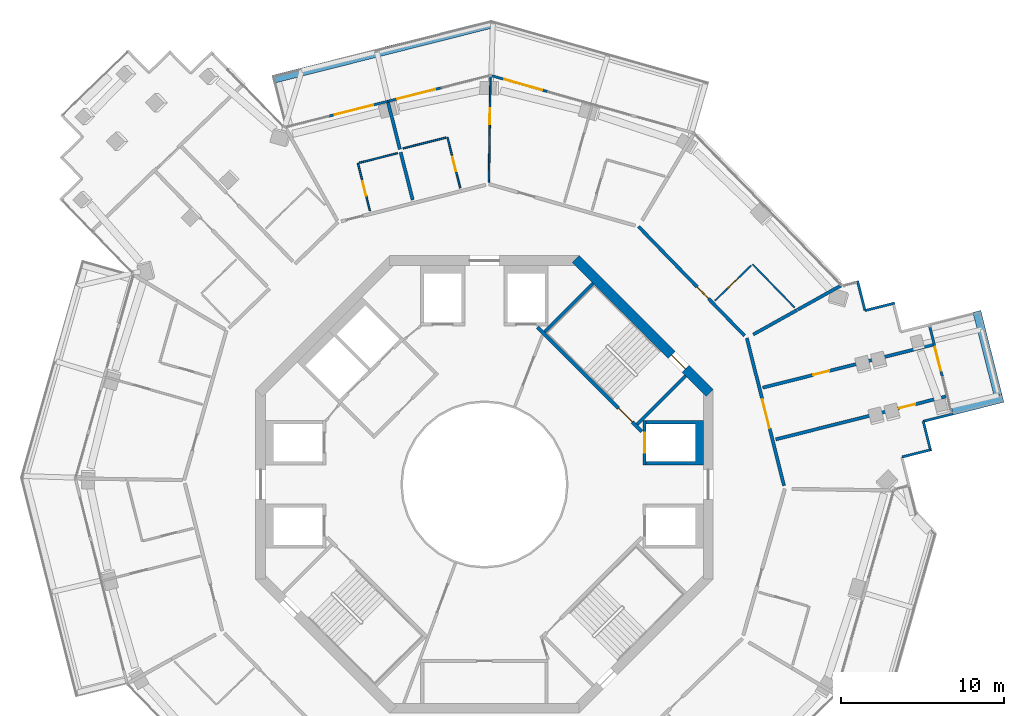
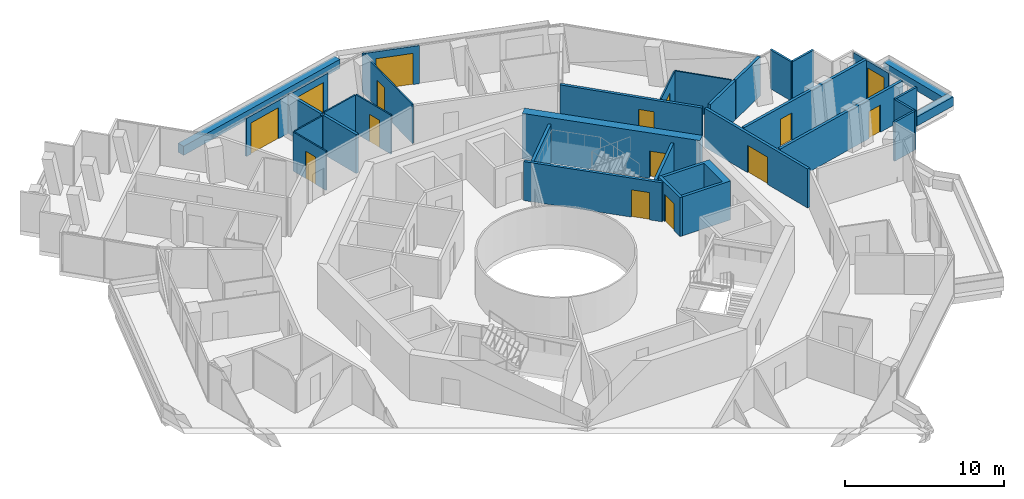
# One storey, part 20 of 24: 33 walls, 15 doors, 15 openings.
"""IFC4 building model written with IfcOpenShell, lengths in metres."""

from ifc_helpers import new_model, si_unit, direction, frame, frame_2d, origin, place, context, subcontext, project, spatial, polyline, rectangle, outline, extrude, material, layer, layer_set, type_object, element, fill, save


model = new_model("IFC4")

# Units and contexts
model_context = context("Model", 3, precision=1e-05, world=origin(), true_north=direction((0.0, 1.0)))
body_context = subcontext(model_context, "Body", "Model", "MODEL_VIEW")
ifc_project = project(units=[si_unit("LENGTHUNIT", "METRE"), si_unit("AREAUNIT", "SQUARE_METRE"), si_unit("VOLUMEUNIT", "CUBIC_METRE"), si_unit("PLANEANGLEUNIT", "RADIAN"), si_unit("MASSUNIT", "GRAM", prefix="KILO")], contexts=[model_context])

# Site, building, storey
site_placement = place(None, origin())
site = spatial("IfcSite", under=ifc_project, at=site_placement, CompositionType="ELEMENT")
building_placement = place(site_placement, origin())
building = spatial("IfcBuilding", under=site, at=building_placement, Name="Verdalira Terraces Hotel", CompositionType="ELEMENT")
storey_placement = place(building_placement, frame((0.0, 0.0, 212.5)))
storey = spatial("IfcBuildingStorey", under=building, at=storey_placement, Name="L52", CompositionType="ELEMENT", Elevation=212.5)

# Walls
ifc_material_1 = material(Name="Concrete C40", Category="concrete")
ifc_layer_1 = layer(ifc_material_1, 0.5)
ifc_layer_set_1 = layer_set([ifc_layer_1], Name="Balcony planter trough with tree")
wall_type_1 = type_object("IfcWallType", Name="Balcony planter trough with tree", PredefinedType="SOLIDWALL", material=ifc_layer_set_1)
wall_1_placement = place(storey_placement, frame((28.630859, 4.490479, 0.0), z_axis=(0.0, 0.0, 1.0), x_axis=(0.969624031, 0.244600159, 0.0)))
element("IfcWall", 1, at=wall_1_placement, inside=storey, type_object=wall_type_1, Name="Balcony planter", PredefinedType="SOLIDWALL", context=body_context, shape_type="SweptSolid", body=[
    extrude(rectangle(XDim=3.198975, YDim=0.5, at=frame_2d((1.599609, 0.0))), origin(), (0.0, 0.0, 1.0), 0.699951),
])
wall_2_placement = place(storey_placement, frame((31.428955, 5.454102, 0.0), z_axis=(0.0, 0.0, 1.0), x_axis=(-0.244594364, 0.969625493, 0.0)))
element("IfcWall", 2, at=wall_2_placement, inside=storey, type_object=wall_type_1, Name="Balcony planter", PredefinedType="SOLIDWALL", context=body_context, shape_type="SweptSolid", body=[
    extrude(rectangle(XDim=5.300049, YDim=0.5, at=frame_2d((2.649902, 0.0))), origin(), (0.0, 0.0, 1.0), 0.699951),
])
wall_3_placement = place(storey_placement, frame((0.3479, 28.148682, 0.0), z_axis=(0.0, 0.0, 1.0), x_axis=(-0.969615948, -0.244632202, 0.0)))
element("IfcWall", 3, at=wall_3_placement, inside=storey, type_object=wall_type_1, Name="Balcony planter", PredefinedType="SOLIDWALL", context=body_context, shape_type="SweptSolid", body=[
    extrude(rectangle(XDim=13.723389, YDim=0.5, at=frame_2d((6.861816, 0.0))), origin(), (0.0, 0.0, 1.0), 0.699951),
])

# Wall, opening, door
ifc_material_2 = material(Name="Moisture-resistant gypsum board partition")
ifc_layer_2 = layer(ifc_material_2, 0.10009765625)
ifc_layer_set_2 = layer_set([ifc_layer_2], Name="Bathroom partition 100 mm")
wall_type_2 = type_object("IfcWallType", Name="Bathroom partition 100 mm", PredefinedType="PARTITIONING", material=ifc_layer_set_2)
wall_4_placement = place(storey_placement, frame((-7.745117, 19.660889, 0.0), z_axis=(0.0, 0.0, 1.0), x_axis=(0.244717984, -0.969594301, 0.0)))
wall_4 = element("IfcWall", 4, at=wall_4_placement, inside=storey, type_object=wall_type_2, Name="Bathroom partition", PredefinedType="PARTITIONING", context=body_context, shape_type="SweptSolid", body=[
    extrude(rectangle(XDim=3.0, YDim=0.100098, at=frame_2d((1.5, 0.0))), origin(), (0.0, 0.0, 1.0), 3.0),
])
opening_1_placement = place(wall_4_placement, frame((1.149902, 0.0, 0.0)))
opening_1 = element("IfcOpeningElement", 5, at=opening_1_placement, cuts=wall_4, Name="Opening L52-134", PredefinedType="OPENING", context=body_context, shape_type="SweptSolid", body=[
    extrude(rectangle(XDim=0.899902, YDim=2.100098, at=frame_2d((0.449951, 1.050049))), frame((0.0, 0.060059, 0.0), z_axis=(0.0, -1.0, 0.0), x_axis=(1.0, 0.0, 0.0)), (0.0, 0.0, 1.0), 0.120117),
])
ifc_material_3 = material(Name="Timber door", Category="wood")
door_type_1 = type_object("IfcDoorType", Name="Bathroom door 900 x 2100", OperationType="NOTDEFINED", PredefinedType="DOOR", material=ifc_material_3)
door_1_placement = place(opening_1_placement, origin())
door_1 = element("IfcDoor", 6, at=door_1_placement, inside=storey, type_object=door_type_1, Name="Bathroom door 5213", OperationType="SINGLE_SWING_LEFT", OverallHeight=2.10009765625, OverallWidth=0.89990234375, PredefinedType="DOOR", context=body_context, shape_type="SweptSolid", body=[
    extrude(rectangle(XDim=0.899902, YDim=2.100098, at=frame_2d((0.449951, 1.050049))), frame((0.0, 0.024902, 0.0), z_axis=(0.0, -1.0, 0.0), x_axis=(1.0, 0.0, 0.0)), (0.0, 0.0, 1.0), 0.050049),
])
fill(opening_1, door_1)

# Walls
wall_5_placement = place(storey_placement, frame((-7.647949, 19.685547, 0.0), z_axis=(0.0, 0.0, 1.0), x_axis=(0.969607564, 0.244665428, 0.0)))
element("IfcWall", 7, at=wall_5_placement, inside=storey, type_object=wall_type_2, Name="Bathroom partition", PredefinedType="PARTITIONING", context=body_context, shape_type="SweptSolid", body=[
    extrude(rectangle(XDim=2.399902, YDim=0.100098, at=frame_2d((1.199951, 0.0))), origin(), (0.0, 0.0, 1.0), 3.0),
])
wall_6_placement = place(storey_placement, frame((-2.364014, 21.224854, 0.0), z_axis=(0.0, 0.0, 1.0), x_axis=(-0.969629761, -0.244577444, 0.0)))
element("IfcWall", 8, at=wall_6_placement, inside=storey, type_object=wall_type_2, Name="Bathroom partition", PredefinedType="PARTITIONING", context=body_context, shape_type="SweptSolid", body=[
    extrude(rectangle(XDim=2.700195, YDim=0.100098, at=frame_2d((1.350098, 0.0))), origin(), (0.0, 0.0, 1.0), 3.0),
])

# Wall, opening, door
wall_7_placement = place(storey_placement, frame((-1.484375, 18.146484, 0.0), z_axis=(0.0, 0.0, 1.0), x_axis=(-0.244581416, 0.969628759, 0.0)))
wall_7 = element("IfcWall", 9, at=wall_7_placement, inside=storey, type_object=wall_type_2, Name="Bathroom partition", PredefinedType="PARTITIONING", context=body_context, shape_type="SweptSolid", body=[
    extrude(rectangle(XDim=3.200195, YDim=0.100098, at=frame_2d((1.600098, 0.0))), origin(), (0.0, 0.0, 1.0), 3.0),
])
opening_2_placement = place(wall_7_placement, frame((1.050049, 0.0, 0.0)))
opening_2 = element("IfcOpeningElement", 10, at=opening_2_placement, cuts=wall_7, Name="Opening L52-132", PredefinedType="OPENING", context=body_context, shape_type="SweptSolid", body=[
    extrude(rectangle(XDim=0.899902, YDim=2.100098, at=frame_2d((0.449951, 1.050049))), frame((0.0, 0.060059, 0.0), z_axis=(0.0, -1.0, 0.0), x_axis=(1.0, 0.0, 0.0)), (0.0, 0.0, 1.0), 0.120117),
])
door_2_placement = place(opening_2_placement, origin())
door_2 = element("IfcDoor", 11, at=door_2_placement, inside=storey, type_object=door_type_1, Name="Bathroom door 5212", OperationType="SINGLE_SWING_RIGHT", OverallHeight=2.10009765625, OverallWidth=0.89990234375, PredefinedType="DOOR", context=body_context, shape_type="SweptSolid", body=[
    extrude(rectangle(XDim=0.899902, YDim=2.100098, at=frame_2d((0.449951, 1.050049))), frame((0.0, 0.024902, 0.0), z_axis=(0.0, -1.0, 0.0), x_axis=(1.0, 0.0, 0.0)), (0.0, 0.0, 1.0), 0.050049),
])
fill(opening_2, door_2)

wall_8_placement = place(storey_placement, frame((0.270996, 18.486328, 0.0), z_axis=(0.0, 0.0, 1.0), x_axis=(0.014665491, 0.999892456, 0.0)))
wall_8 = element("IfcWall", 12, at=wall_8_placement, inside=storey, type_object=wall_type_2, Name="Bathroom partition", PredefinedType="PARTITIONING", context=body_context, shape_type="SweptSolid", body=[
    extrude(rectangle(XDim=6.47583, YDim=0.100098, at=frame_2d((3.237793, 0.0))), origin(), (0.0, 0.0, 1.0), 3.0),
])
opening_3_placement = place(wall_8_placement, frame((3.550049, 0.0, 0.0)))
opening_3 = element("IfcOpeningElement", 13, at=opening_3_placement, cuts=wall_8, Name="Opening L52-130", PredefinedType="OPENING", context=body_context, shape_type="SweptSolid", body=[
    extrude(rectangle(XDim=1.0, YDim=2.100098, at=frame_2d((0.5, 1.050049))), frame((0.0, 0.060059, 0.0), z_axis=(0.0, -1.0, 0.0), x_axis=(1.0, 0.0, 0.0)), (0.0, 0.0, 1.0), 0.120117),
])
ifc_material_4 = material(Name="Timber door", Category="wood")
door_type_2 = type_object("IfcDoorType", Name="Suite internal door 1000 x 2100", OperationType="NOTDEFINED", PredefinedType="DOOR", material=ifc_material_4)
door_3_placement = place(opening_3_placement, origin())
door_3 = element("IfcDoor", 14, at=door_3_placement, inside=storey, type_object=door_type_2, Name="Suite internal door 5212", OperationType="SINGLE_SWING_LEFT", OverallHeight=2.10009765625, OverallWidth=1.0, PredefinedType="DOOR", context=body_context, shape_type="SweptSolid", body=[
    extrude(rectangle(XDim=1.0, YDim=2.100098, at=frame_2d((0.5, 1.050049))), frame((0.0, 0.024902, 0.0), z_axis=(0.0, -1.0, 0.0), x_axis=(1.0, 0.0, 0.0)), (0.0, 0.0, 1.0), 0.050049),
])
fill(opening_3, door_3)

wall_9_placement = place(storey_placement, frame((16.332275, 13.40918, 0.0), z_axis=(0.0, 0.0, 1.0), x_axis=(-0.717425556, -0.696635178, 0.0)))
wall_9 = element("IfcWall", 15, at=wall_9_placement, inside=storey, type_object=wall_type_2, Name="Bathroom partition", PredefinedType="PARTITIONING", context=body_context, shape_type="SweptSolid", body=[
    extrude(rectangle(XDim=3.100098, YDim=0.100098, at=frame_2d((1.550049, 0.0))), origin(), (0.0, 0.0, 1.0), 3.0),
])
opening_4_placement = place(wall_9_placement, frame((1.149902, 0.0, 0.0)))
opening_4 = element("IfcOpeningElement", 16, at=opening_4_placement, cuts=wall_9, Name="Opening L52-127", PredefinedType="OPENING", context=body_context, shape_type="SweptSolid", body=[
    extrude(rectangle(XDim=0.899902, YDim=2.100098, at=frame_2d((0.449951, 1.050049))), frame((0.0, 0.060059, 0.0), z_axis=(0.0, -1.0, 0.0), x_axis=(1.0, 0.0, 0.0)), (0.0, 0.0, 1.0), 0.120117),
])
door_4_placement = place(opening_4_placement, origin())
door_4 = element("IfcDoor", 17, at=door_4_placement, inside=storey, type_object=door_type_1, Name="Bathroom door 5211", OperationType="SINGLE_SWING_LEFT", OverallHeight=2.10009765625, OverallWidth=0.89990234375, PredefinedType="DOOR", context=body_context, shape_type="SweptSolid", body=[
    extrude(rectangle(XDim=0.899902, YDim=2.100098, at=frame_2d((0.449951, 1.050049))), frame((0.0, 0.024902, 0.0), z_axis=(0.0, -1.0, 0.0), x_axis=(1.0, 0.0, 0.0)), (0.0, 0.0, 1.0), 0.050049),
])
fill(opening_4, door_4)

# Walls
wall_10_placement = place(storey_placement, frame((16.403809, 13.47876, 0.0), z_axis=(0.0, 0.0, 1.0), x_axis=(0.696682976, -0.71737914, 0.0)))
element("IfcWall", 18, at=wall_10_placement, inside=storey, type_object=wall_type_2, Name="Bathroom partition", PredefinedType="PARTITIONING", context=body_context, shape_type="SweptSolid", body=[
    extrude(rectangle(XDim=3.704102, YDim=0.100098, at=frame_2d((1.852051, 0.0))), origin(), (0.0, 0.0, 1.0), 3.0),
])
ifc_material_5 = material(Name="Concrete C50", Category="concrete")
ifc_layer_3 = layer(ifc_material_5, 0.199951171875)
ifc_layer_set_3 = layer_set([ifc_layer_3], Name="Core RC wall 200 C50")
wall_type_3 = type_object("IfcWallType", Name="Core RC wall 200 C50", PredefinedType="SOLIDWALL", material=ifc_layer_set_3)
wall_11_placement = place(storey_placement, origin())
element("IfcWall", 19, at=wall_11_placement, inside=storey, type_object=wall_type_3, Name="L52 shaft wall E2", PredefinedType="SOLIDWALL", context=body_context, shape_type="SweptSolid", body=[
    extrude(outline(polyline([(13.399902, 3.899902), (13.399902, 1.199951), (9.899902, 1.199951), (9.899902, 1.399902), (12.899902, 1.399902), (12.899902, 3.699951), (9.899902, 3.699951), (9.899902, 3.899902), (13.399902, 3.899902)])), origin(), (0.0, 0.0, 1.0), 3.0),
])

# Wall, opening, door
wall_12_placement = place(storey_placement, frame((9.800049, 1.199951, 0.0), z_axis=(0.0, 0.0, 1.0), x_axis=(0.0, 1.0, 0.0)))
wall_12 = element("IfcWall", 20, at=wall_12_placement, inside=storey, type_object=wall_type_3, Name="L52 shaft front wall E2", PredefinedType="SOLIDWALL", context=body_context, shape_type="SweptSolid", body=[
    extrude(rectangle(XDim=2.699951, YDim=0.199951, at=frame_2d((1.350098, 0.0))), origin(), (0.0, 0.0, 1.0), 3.0),
])
opening_5_placement = place(wall_12_placement, frame((0.75, 0.0, 0.0)))
opening_5 = element("IfcOpeningElement", 21, at=opening_5_placement, cuts=wall_12, Name="Opening LD-L52-803", PredefinedType="OPENING", context=body_context, shape_type="SweptSolid", body=[
    extrude(rectangle(XDim=1.199951, YDim=2.100098, at=frame_2d((0.600098, 1.050049))), frame((0.0, 0.109863, 0.0), z_axis=(0.0, -1.0, 0.0), x_axis=(1.0, 0.0, 0.0)), (0.0, 0.0, 1.0), 0.219971),
])
ifc_material_6 = material(Name="Stainless steel", Category="steel")
door_type_3 = type_object("IfcDoorType", Name="Landing door 1200 x 2100", OperationType="NOTDEFINED", PredefinedType="DOOR", material=ifc_material_6)
door_5_placement = place(opening_5_placement, origin())
door_5 = element("IfcDoor", 22, at=door_5_placement, inside=storey, type_object=door_type_3, Name="Lift landing door HR2 L52", OperationType="DOUBLE_DOOR_SLIDING", OverallHeight=2.10009765625, OverallWidth=1.199951171875, PredefinedType="DOOR", context=body_context, shape_type="SweptSolid", body=[
    extrude(rectangle(XDim=1.199951, YDim=2.100098, at=frame_2d((0.600098, 1.050049))), frame((0.0, 0.024902, 0.0), z_axis=(0.0, -1.0, 0.0), x_axis=(1.0, 0.0, 0.0)), (0.0, 0.0, 1.0), 0.050049),
])
fill(opening_5, door_5)

wall_13_placement = place(storey_placement, frame((3.23999, 9.629395, 0.0), z_axis=(0.0, 0.0, 1.0), x_axis=(0.707106781, -0.707106781, 0.0)))
wall_13 = element("IfcWall", 23, at=wall_13_placement, inside=storey, type_object=wall_type_3, Name="L52 stair ST1 front wall", PredefinedType="SOLIDWALL", context=body_context, shape_type="SweptSolid", body=[
    extrude(rectangle(XDim=9.035889, YDim=0.199951, at=frame_2d((4.518066, 0.0))), origin(), (0.0, 0.0, 1.0), 3.0),
])
opening_6_placement = place(wall_13_placement, frame((7.017822, 0.0, 0.0)))
opening_6 = element("IfcOpeningElement", 24, at=opening_6_placement, cuts=wall_13, Name="Opening L52-810", PredefinedType="OPENING", context=body_context, shape_type="SweptSolid", body=[
    extrude(rectangle(XDim=1.199951, YDim=2.100098, at=frame_2d((0.600098, 1.050049))), frame((0.0, 0.109863, 0.0), z_axis=(0.0, -1.0, 0.0), x_axis=(1.0, 0.0, 0.0)), (0.0, 0.0, 1.0), 0.219971),
])
ifc_material_7 = material(Name="Steel fire door", Category="steel")
door_type_4 = type_object("IfcDoorType", Name="Stair door 1200 x 2100", OperationType="NOTDEFINED", PredefinedType="DOOR", material=ifc_material_7)
door_6_placement = place(opening_6_placement, origin())
door_6 = element("IfcDoor", 25, at=door_6_placement, inside=storey, type_object=door_type_4, Name="Stair door ST1 L52", OperationType="SINGLE_SWING_RIGHT", OverallHeight=2.10009765625, OverallWidth=1.199951171875, PredefinedType="DOOR", context=body_context, shape_type="SweptSolid", body=[
    extrude(rectangle(XDim=1.199951, YDim=2.100098, at=frame_2d((0.600098, 1.050049))), frame((0.0, 0.024902, 0.0), z_axis=(0.0, -1.0, 0.0), x_axis=(1.0, 0.0, 0.0)), (0.0, 0.0, 1.0), 0.050049),
])
fill(opening_6, door_6)

# Walls
for number, where, z_axis, x_axis, name in (
    (26, (9.33374, 3.677002, 0.0), (0.0, 0.0, 1.0), (0.707135845, 0.707077716, 0.0), "L52 stair ST1 end wall 1"),
    (27, (3.677002, 9.33374, 0.0), (0.0, 0.0, 1.0), (0.707077716, 0.707135845, 0.0), "L52 stair ST1 end wall 2"),
):
    element("IfcWall", number, at=place(storey_placement, frame(where, z_axis=z_axis, x_axis=x_axis)), inside=storey, type_object=wall_type_3, Name=name, PredefinedType="SOLIDWALL", context=body_context, shape_type="SweptSolid", body=[
        extrude(rectangle(XDim=4.199951, YDim=0.199951, at=frame_2d((2.100098, 0.0))), origin(), (0.0, 0.0, 1.0), 3.0),
    ])

# Wall, opening, door
ifc_material_8 = material(Name="Concrete C60", Category="concrete")
ifc_layer_4 = layer(ifc_material_8, 0.60009765625)
ifc_layer_set_4 = layer_set([ifc_layer_4], Name="Core wall 600 C60")
wall_type_4 = type_object("IfcWallType", Name="Core wall 600 C60", PredefinedType="SHEAR", material=ifc_layer_set_4)
wall_14_placement = place(storey_placement, frame((13.787842, 5.586914, 0.0), z_axis=(0.0, 0.0, 1.0), x_axis=(-0.707106781, 0.707106781, 0.0)))
wall_14 = element("IfcWall", 28, at=wall_14_placement, inside=storey, type_object=wall_type_4, Name="Core wall CW-L52-2", PredefinedType="SHEAR", context=body_context, shape_type="SweptSolid", body=[
    extrude(rectangle(XDim=11.5979, YDim=0.600098, at=frame_2d((5.798828, 0.0))), origin(), (0.0, 0.0, 1.0), 3.5),
])
opening_7_placement = place(wall_14_placement, frame((2.099121, 0.0, 0.0)))
opening_7 = element("IfcOpeningElement", 29, at=opening_7_placement, cuts=wall_14, Name="Opening L52-816", PredefinedType="OPENING", context=body_context, shape_type="SweptSolid", body=[
    extrude(rectangle(XDim=1.199951, YDim=2.100098, at=frame_2d((0.600098, 1.050049))), frame((0.0, 0.310059, 0.0), z_axis=(0.0, -1.0, 0.0), x_axis=(1.0, 0.0, 0.0)), (0.0, 0.0, 1.0), 0.620117),
])
door_7_placement = place(opening_7_placement, origin())
door_7 = element("IfcDoor", 30, at=door_7_placement, inside=storey, type_object=door_type_4, Name="Stair exit door ST1 L52", OperationType="SINGLE_SWING_LEFT", OverallHeight=2.10009765625, OverallWidth=1.199951171875, PredefinedType="DOOR", context=body_context, shape_type="SweptSolid", body=[
    extrude(rectangle(XDim=1.199951, YDim=2.100098, at=frame_2d((0.600098, 1.050049))), frame((0.0, 0.024902, 0.0), z_axis=(0.0, -1.0, 0.0), x_axis=(1.0, 0.0, 0.0)), (0.0, 0.0, 1.0), 0.050049),
])
fill(opening_7, door_7)

# Walls
ifc_material_9 = material(Name="Fire-rated gypsum board wall")
ifc_layer_5 = layer(ifc_material_9, 0.199951171875)
ifc_layer_set_5 = layer_set([ifc_layer_5], Name="Demising wall 200 mm")
wall_type_5 = type_object("IfcWallType", Name="Demising wall 200 mm", PredefinedType="SOLIDWALL", material=ifc_layer_set_5)
wall_15_placement = place(storey_placement, frame((-5.176025, 20.515381, 0.0), z_axis=(0.0, 0.0, 1.0), x_axis=(-0.244638129, 0.969614452, 0.0)))
element("IfcWall", 31, at=wall_15_placement, inside=storey, type_object=wall_type_5, Name="Demising wall", PredefinedType="SOLIDWALL", context=body_context, shape_type="SweptSolid", body=[
    extrude(rectangle(XDim=2.949951, YDim=0.199951, at=frame_2d((1.475098, 0.0))), origin(), (0.0, 0.0, 1.0), 3.0),
])
wall_16_placement = place(storey_placement, frame((-4.393311, 17.412598, 0.0), z_axis=(0.0, 0.0, 1.0), x_axis=(-0.244544311, 0.969638118, 0.0)))
element("IfcWall", 32, at=wall_16_placement, inside=storey, type_object=wall_type_5, Name="Demising wall", PredefinedType="SOLIDWALL", context=body_context, shape_type="SweptSolid", body=[
    extrude(rectangle(XDim=3.001953, YDim=0.199951, at=frame_2d((1.500977, 0.0))), origin(), (0.0, 0.0, 1.0), 3.0),
])
wall_17_placement = place(storey_placement, frame((16.445312, 9.175781, 0.0), z_axis=(0.0, 0.0, 1.0), x_axis=(0.873245633, 0.487280274, 0.0)))
element("IfcWall", 33, at=wall_17_placement, inside=storey, type_object=wall_type_5, Name="Demising wall", PredefinedType="SOLIDWALL", context=body_context, shape_type="SweptSolid", body=[
    extrude(rectangle(XDim=3.074707, YDim=0.199951, at=frame_2d((1.537354, 0.0))), origin(), (0.0, 0.0, 1.0), 3.0),
])
wall_18_placement = place(storey_placement, frame((19.17041, 10.696289, 0.0), z_axis=(0.0, 0.0, 1.0), x_axis=(0.873241825, 0.487287097, 0.0)))
element("IfcWall", 34, at=wall_18_placement, inside=storey, type_object=wall_type_5, Name="Demising wall", PredefinedType="SOLIDWALL", context=body_context, shape_type="SweptSolid", body=[
    extrude(rectangle(XDim=3.011719, YDim=0.199951, at=frame_2d((1.505859, 0.0))), origin(), (0.0, 0.0, 1.0), 3.0),
])

# Wall, opening, door
wall_19_placement = place(storey_placement, frame((17.026611, 5.922852, 0.0), z_axis=(0.0, 0.0, 1.0), x_axis=(0.969615219, 0.244635089, 0.0)))
wall_19 = element("IfcWall", 35, at=wall_19_placement, inside=storey, type_object=wall_type_5, Name="Demising wall", PredefinedType="SOLIDWALL", context=body_context, shape_type="SweptSolid", body=[
    extrude(rectangle(XDim=10.750244, YDim=0.199951, at=frame_2d((5.375, 0.0))), origin(), (0.0, 0.0, 1.0), 3.0),
])
opening_8_placement = place(wall_19_placement, frame((3.199951, 0.0, 0.0)))
opening_8 = element("IfcOpeningElement", 36, at=opening_8_placement, cuts=wall_19, Name="Opening L52-125", PredefinedType="OPENING", context=body_context, shape_type="SweptSolid", body=[
    extrude(rectangle(XDim=1.0, YDim=2.100098, at=frame_2d((0.5, 1.050049))), frame((0.0, 0.109863, 0.0), z_axis=(0.0, -1.0, 0.0), x_axis=(1.0, 0.0, 0.0)), (0.0, 0.0, 1.0), 0.219971),
])
ifc_material_10 = material(Name="Timber fire door", Category="wood")
door_type_5 = type_object("IfcDoorType", Name="Public room door 1000 x 2100", OperationType="NOTDEFINED", PredefinedType="DOOR", material=ifc_material_10)
door_8_placement = place(opening_8_placement, origin())
door_8 = element("IfcDoor", 37, at=door_8_placement, inside=storey, type_object=door_type_5, Name="Public room door 5210", OperationType="SINGLE_SWING_LEFT", OverallHeight=2.10009765625, OverallWidth=1.0, PredefinedType="DOOR", context=body_context, shape_type="SweptSolid", body=[
    extrude(rectangle(XDim=1.0, YDim=2.100098, at=frame_2d((0.5, 1.050049))), frame((0.0, 0.024902, 0.0), z_axis=(0.0, -1.0, 0.0), x_axis=(1.0, 0.0, 0.0)), (0.0, 0.0, 1.0), 0.050049),
])
fill(opening_8, door_8)

wall_20_placement = place(storey_placement, frame((28.248779, 5.387207, 0.0), z_axis=(0.0, 0.0, 1.0), x_axis=(-0.969619247, -0.244619125, 0.0)))
wall_20 = element("IfcWall", 38, at=wall_20_placement, inside=storey, type_object=wall_type_5, Name="Demising wall", PredefinedType="SOLIDWALL", context=body_context, shape_type="SweptSolid", body=[
    extrude(rectangle(XDim=10.75, YDim=0.199951, at=frame_2d((5.375, 0.0))), origin(), (0.0, 0.0, 1.0), 3.0),
])
opening_9_placement = place(wall_20_placement, frame((1.949951, 0.0, 0.0)))
opening_9 = element("IfcOpeningElement", 39, at=opening_9_placement, cuts=wall_20, Name="Opening L52-124", PredefinedType="OPENING", context=body_context, shape_type="SweptSolid", body=[
    extrude(rectangle(XDim=1.0, YDim=2.100098, at=frame_2d((0.5, 1.050049))), frame((0.0, 0.109863, 0.0), z_axis=(0.0, -1.0, 0.0), x_axis=(1.0, 0.0, 0.0)), (0.0, 0.0, 1.0), 0.219971),
])
door_9_placement = place(opening_9_placement, origin())
door_9 = element("IfcDoor", 40, at=door_9_placement, inside=storey, type_object=door_type_5, Name="Public room door 5210", OperationType="SINGLE_SWING_LEFT", OverallHeight=2.10009765625, OverallWidth=1.0, PredefinedType="DOOR", context=body_context, shape_type="SweptSolid", body=[
    extrude(rectangle(XDim=1.0, YDim=2.100098, at=frame_2d((0.5, 1.050049))), frame((0.0, 0.024902, 0.0), z_axis=(0.0, -1.0, 0.0), x_axis=(1.0, 0.0, 0.0)), (0.0, 0.0, 1.0), 0.050049),
])
fill(opening_9, door_9)

ifc_material_11 = material(Name="Fire-rated gypsum board wall")
ifc_layer_6 = layer(ifc_material_11, 0.199951171875)
ifc_layer_set_6 = layer_set([ifc_layer_6], Name="Guest corridor wall 200 mm")
wall_type_6 = type_object("IfcWallType", Name="Guest corridor wall 200 mm", PredefinedType="SOLIDWALL", material=ifc_layer_set_6)
wall_21_placement = place(storey_placement, frame((9.424805, 15.785156, 0.0), z_axis=(0.0, 0.0, 1.0), x_axis=(0.696666645, -0.717395, 0.0)))
wall_21 = element("IfcWall", 41, at=wall_21_placement, inside=storey, type_object=wall_type_6, Name="Guest corridor wall", PredefinedType="SOLIDWALL", context=body_context, shape_type="SweptSolid", body=[
    extrude(rectangle(XDim=9.316406, YDim=0.199951, at=frame_2d((4.658203, 0.0))), origin(), (0.0, 0.0, 1.0), 3.0),
])
opening_10_placement = place(wall_21_placement, frame((5.149902, 0.0, 0.0)))
opening_10 = element("IfcOpeningElement", 42, at=opening_10_placement, cuts=wall_21, Name="Opening L52-126", PredefinedType="OPENING", context=body_context, shape_type="SweptSolid", body=[
    extrude(rectangle(XDim=1.0, YDim=2.100098, at=frame_2d((0.5, 1.050049))), frame((0.0, 0.109863, 0.0), z_axis=(0.0, -1.0, 0.0), x_axis=(1.0, 0.0, 0.0)), (0.0, 0.0, 1.0), 0.219971),
])
ifc_material_12 = material(Name="Timber fire door", Category="wood")
door_type_6 = type_object("IfcDoorType", Name="Guest entry door 1000 x 2100", OperationType="NOTDEFINED", PredefinedType="DOOR", material=ifc_material_12)
door_10_placement = place(opening_10_placement, origin())
door_10 = element("IfcDoor", 43, at=door_10_placement, inside=storey, type_object=door_type_6, Name="Guest entry door 5211", OperationType="SINGLE_SWING_LEFT", OverallHeight=2.10009765625, OverallWidth=1.0, PredefinedType="DOOR", context=body_context, shape_type="SweptSolid", body=[
    extrude(rectangle(XDim=1.0, YDim=2.100098, at=frame_2d((0.5, 1.050049))), frame((0.0, 0.024902, 0.0), z_axis=(0.0, -1.0, 0.0), x_axis=(1.0, 0.0, 0.0)), (0.0, 0.0, 1.0), 0.050049),
])
fill(opening_10, door_10)

wall_22_placement = place(storey_placement, frame((16.054688, 8.958008, 0.0), z_axis=(0.0, 0.0, 1.0), x_axis=(0.244643731, -0.969613039, 0.0)))
wall_22 = element("IfcWall", 44, at=wall_22_placement, inside=storey, type_object=wall_type_6, Name="Guest corridor wall", PredefinedType="SOLIDWALL", context=body_context, shape_type="SweptSolid", body=[
    extrude(rectangle(XDim=9.316895, YDim=0.199951, at=frame_2d((4.658447, 0.0))), origin(), (0.0, 0.0, 1.0), 3.0),
])
opening_11_placement = place(wall_22_placement, frame((3.880615, 0.0, 0.0)))
opening_11 = element("IfcOpeningElement", 45, at=opening_11_placement, cuts=wall_22, Name="Opening L52-123", PredefinedType="OPENING", context=body_context, shape_type="SweptSolid", body=[
    extrude(rectangle(XDim=1.800049, YDim=2.100098, at=frame_2d((0.899902, 1.050049))), frame((0.0, 0.109863, 0.0), z_axis=(0.0, -1.0, 0.0), x_axis=(1.0, 0.0, 0.0)), (0.0, 0.0, 1.0), 0.219971),
])
ifc_material_13 = material(Name="Timber fire door", Category="wood")
door_type_7 = type_object("IfcDoorType", Name="Public room double door 1800 x 2100", OperationType="NOTDEFINED", PredefinedType="DOOR", material=ifc_material_13)
door_11_placement = place(opening_11_placement, origin())
door_11 = element("IfcDoor", 46, at=door_11_placement, inside=storey, type_object=door_type_7, Name="Public room double door 5210", OperationType="DOUBLE_DOOR_SINGLE_SWING", OverallHeight=2.10009765625, OverallWidth=1.800048828125, PredefinedType="DOOR", context=body_context, shape_type="SweptSolid", body=[
    extrude(rectangle(XDim=1.800049, YDim=2.100098, at=frame_2d((0.899902, 1.050049))), frame((0.0, 0.024902, 0.0), z_axis=(0.0, -1.0, 0.0), x_axis=(1.0, 0.0, 0.0)), (0.0, 0.0, 1.0), 0.050049),
])
fill(opening_11, door_11)

# Walls
ifc_material_14 = material(Name="Terracotta cladding", Category="masonry")
ifc_layer_7 = layer(ifc_material_14, 0.14990234375)
ifc_layer_set_7 = layer_set([ifc_layer_7], Name="Terracotta clad wall 150")
wall_type_7 = type_object("IfcWallType", Name="Terracotta clad wall 150", PredefinedType="SOLIDWALL", material=ifc_layer_set_7)
wall_23_placement = place(storey_placement, frame((25.549561, 1.676025, 0.0), z_axis=(0.0, 0.0, 1.0), x_axis=(0.96960561, 0.244673174, 0.0)))
element("IfcWall", 47, at=wall_23_placement, inside=storey, type_object=wall_type_7, Name="Terracotta cladding wall", PredefinedType="SOLIDWALL", context=body_context, shape_type="SweptSolid", body=[
    extrude(rectangle(XDim=1.800049, YDim=0.149902, at=frame_2d((0.899902, 0.0))), origin(), (0.0, 0.0, 1.0), 3.0),
])
for number, where, z_axis, x_axis, name in (
    (48, (27.313232, 2.043701, 0.0), (0.0, 0.0, 1.0), (-0.244648911, 0.969611732, 0.0), "Terracotta cladding wall"),
    (49, (26.854492, 3.861816, 0.0), (0.0, 0.0, 1.0), (0.969611732, 0.244648911, 0.0), "Terracotta cladding wall"),
):
    element("IfcWall", number, at=place(storey_placement, frame(where, z_axis=z_axis, x_axis=x_axis)), inside=storey, type_object=wall_type_7, Name=name, PredefinedType="SOLIDWALL", context=body_context, shape_type="SweptSolid", body=[
        extrude(rectangle(XDim=1.875, YDim=0.149902, at=frame_2d((0.9375, 0.0))), origin(), (0.0, 0.0, 1.0), 3.0),
    ])
wall_24_placement = place(storey_placement, frame((25.104736, 11.10376, 0.0), z_axis=(0.0, 0.0, 1.0), x_axis=(-0.969603937, -0.244679801, 0.0)))
element("IfcWall", 50, at=wall_24_placement, inside=storey, type_object=wall_type_7, Name="Terracotta cladding wall", PredefinedType="SOLIDWALL", context=body_context, shape_type="SweptSolid", body=[
    extrude(rectangle(XDim=1.874756, YDim=0.149902, at=frame_2d((0.9375, 0.0))), origin(), (0.0, 0.0, 1.0), 3.0),
])
wall_25_placement = place(storey_placement, frame((23.286865, 10.64502, 0.0), z_axis=(0.0, 0.0, 1.0), x_axis=(-0.244648911, 0.969611732, 0.0)))
element("IfcWall", 51, at=wall_25_placement, inside=storey, type_object=wall_type_7, Name="Terracotta cladding wall", PredefinedType="SOLIDWALL", context=body_context, shape_type="SweptSolid", body=[
    extrude(rectangle(XDim=1.875, YDim=0.149902, at=frame_2d((0.9375, 0.0))), origin(), (0.0, 0.0, 1.0), 3.0),
])

# Wall, opening, door
ifc_material_15 = material(Name="Terracotta cladding", Category="masonry")
ifc_layer_8 = layer(ifc_material_15, 0.14990234375)
ifc_layer_set_8 = layer_set([ifc_layer_8], Name="Terracotta door pier 150")
wall_type_8 = type_object("IfcWallType", Name="Terracotta door pier 150", PredefinedType="SOLIDWALL", material=ifc_layer_set_8)
wall_26_placement = place(storey_placement, frame((28.028564, 6.566162, 0.0), z_axis=(0.0, 0.0, 1.0), x_axis=(-0.244607477, 0.969622185, 0.0)))
wall_26 = element("IfcWall", 52, at=wall_26_placement, inside=storey, type_object=wall_type_8, Name="Terracotta door pier", PredefinedType="SOLIDWALL", context=body_context, shape_type="SweptSolid", body=[
    extrude(rectangle(XDim=3.159912, YDim=0.149902, at=frame_2d((1.580078, 0.0))), origin(), (0.0, 0.0, 1.0), 2.935059),
])
opening_12_placement = place(wall_26_placement, frame((0.399902, 0.0, 0.0)))
opening_12 = element("IfcOpeningElement", 53, at=opening_12_placement, cuts=wall_26, Name="Opening L52-B10", PredefinedType="OPENING", context=body_context, shape_type="SweptSolid", body=[
    extrude(rectangle(XDim=1.5, YDim=2.399902, at=frame_2d((0.75, 1.199951))), frame((0.0, 0.084961, 0.0), z_axis=(0.0, -1.0, 0.0), x_axis=(1.0, 0.0, 0.0)), (0.0, 0.0, 1.0), 0.169922),
])
ifc_material_16 = material(Name="Clear glass", Category="glass")
door_type_8 = type_object("IfcDoorType", Name="Balcony sliding door 1500x2400", OperationType="NOTDEFINED", PredefinedType="DOOR", material=ifc_material_16)
door_12_placement = place(opening_12_placement, origin())
door_12 = element("IfcDoor", 54, at=door_12_placement, inside=storey, type_object=door_type_8, Name="Balcony sliding door", OperationType="SLIDING_TO_RIGHT", OverallHeight=2.39990234375, OverallWidth=1.5, PredefinedType="DOOR", context=body_context, shape_type="SweptSolid", body=[
    extrude(rectangle(XDim=1.5, YDim=2.399902, at=frame_2d((0.75, 1.199951))), frame((0.0, 0.024902, 0.0), z_axis=(0.0, -1.0, 0.0), x_axis=(1.0, 0.0, 0.0)), (0.0, 0.0, 1.0), 0.050049),
])
fill(opening_12, door_12)

wall_27_placement = place(storey_placement, frame((3.915771, 24.026855, 0.0), z_axis=(0.0, 0.0, 1.0), x_axis=(-0.96202019, 0.272978303, 0.0)))
wall_27 = element("IfcWall", 55, at=wall_27_placement, inside=storey, type_object=wall_type_8, Name="Terracotta door pier", PredefinedType="SOLIDWALL", context=body_context, shape_type="SweptSolid", body=[
    extrude(rectangle(XDim=3.608643, YDim=0.149902, at=frame_2d((1.804199, 0.0))), origin(), (0.0, 0.0, 1.0), 2.935059),
])
opening_13_placement = place(wall_27_placement, frame((0.399902, 0.0, 0.0)))
opening_13 = element("IfcOpeningElement", 56, at=opening_13_placement, cuts=wall_27, Name="Opening L52-B12", PredefinedType="OPENING", context=body_context, shape_type="SweptSolid", body=[
    extrude(rectangle(XDim=2.399902, YDim=2.399902, at=frame_2d((1.199951, 1.199951))), frame((0.0, 0.084961, 0.0), z_axis=(0.0, -1.0, 0.0), x_axis=(1.0, 0.0, 0.0)), (0.0, 0.0, 1.0), 0.169922),
])
ifc_material_17 = material(Name="Clear glass", Category="glass")
door_type_9 = type_object("IfcDoorType", Name="Balcony sliding door 2400x2400", OperationType="NOTDEFINED", PredefinedType="DOOR", material=ifc_material_17)
door_13_placement = place(opening_13_placement, origin())
door_13 = element("IfcDoor", 57, at=door_13_placement, inside=storey, type_object=door_type_9, Name="Balcony sliding door", OperationType="SLIDING_TO_RIGHT", OverallHeight=2.39990234375, OverallWidth=2.39990234375, PredefinedType="DOOR", context=body_context, shape_type="SweptSolid", body=[
    extrude(rectangle(XDim=2.399902, YDim=2.399902, at=frame_2d((1.199951, 1.199951))), frame((0.0, 0.024902, 0.0), z_axis=(0.0, -1.0, 0.0), x_axis=(1.0, 0.0, 0.0)), (0.0, 0.0, 1.0), 0.050049),
])
fill(opening_13, door_13)

wall_28_placement = place(storey_placement, frame((-2.619385, 24.280273, 0.0), z_axis=(0.0, 0.0, 1.0), x_axis=(-0.969612207, -0.244647026, 0.0)))
wall_28 = element("IfcWall", 58, at=wall_28_placement, inside=storey, type_object=wall_type_8, Name="Terracotta door pier", PredefinedType="SOLIDWALL", context=body_context, shape_type="SweptSolid", body=[
    extrude(rectangle(XDim=3.399902, YDim=0.149902, at=frame_2d((1.699951, 0.0))), origin(), (0.0, 0.0, 1.0), 2.935059),
])
opening_14_placement = place(wall_28_placement, frame((0.399902, 0.0, 0.0)))
opening_14 = element("IfcOpeningElement", 59, at=opening_14_placement, cuts=wall_28, Name="Opening L52-B13", PredefinedType="OPENING", context=body_context, shape_type="SweptSolid", body=[
    extrude(rectangle(XDim=2.399902, YDim=2.399902, at=frame_2d((1.199951, 1.199951))), frame((0.0, 0.084961, 0.0), z_axis=(0.0, -1.0, 0.0), x_axis=(1.0, 0.0, 0.0)), (0.0, 0.0, 1.0), 0.169922),
])
door_14_placement = place(opening_14_placement, origin())
door_14 = element("IfcDoor", 60, at=door_14_placement, inside=storey, type_object=door_type_9, Name="Balcony sliding door", OperationType="SLIDING_TO_RIGHT", OverallHeight=2.39990234375, OverallWidth=2.39990234375, PredefinedType="DOOR", context=body_context, shape_type="SweptSolid", body=[
    extrude(rectangle(XDim=2.399902, YDim=2.399902, at=frame_2d((1.199951, 1.199951))), frame((0.0, 0.024902, 0.0), z_axis=(0.0, -1.0, 0.0), x_axis=(1.0, 0.0, 0.0)), (0.0, 0.0, 1.0), 0.050049),
])
fill(opening_14, door_14)

wall_29_placement = place(storey_placement, frame((-5.916016, 23.448486, 0.0), z_axis=(0.0, 0.0, 1.0), x_axis=(-0.969617968, -0.244624194, 0.0)))
wall_29 = element("IfcWall", 61, at=wall_29_placement, inside=storey, type_object=wall_type_8, Name="Terracotta door pier", PredefinedType="SOLIDWALL", context=body_context, shape_type="SweptSolid", body=[
    extrude(rectangle(XDim=3.739502, YDim=0.149902, at=frame_2d((1.869629, 0.0))), origin(), (0.0, 0.0, 1.0), 2.935059),
])
opening_15_placement = place(wall_29_placement, frame((0.939697, 0.0, 0.0)))
opening_15 = element("IfcOpeningElement", 62, at=opening_15_placement, cuts=wall_29, Name="Opening L52-B14", PredefinedType="OPENING", context=body_context, shape_type="SweptSolid", body=[
    extrude(rectangle(XDim=2.399902, YDim=2.399902, at=frame_2d((1.199951, 1.199951))), frame((0.0, 0.084961, 0.0), z_axis=(0.0, -1.0, 0.0), x_axis=(1.0, 0.0, 0.0)), (0.0, 0.0, 1.0), 0.169922),
])
door_15_placement = place(opening_15_placement, origin())
door_15 = element("IfcDoor", 63, at=door_15_placement, inside=storey, type_object=door_type_9, Name="Balcony sliding door", OperationType="SLIDING_TO_LEFT", OverallHeight=2.39990234375, OverallWidth=2.39990234375, PredefinedType="DOOR", context=body_context, shape_type="SweptSolid", body=[
    extrude(rectangle(XDim=2.399902, YDim=2.399902, at=frame_2d((1.199951, 1.199951))), frame((0.0, 0.024902, 0.0), z_axis=(0.0, -1.0, 0.0), x_axis=(1.0, 0.0, 0.0)), (0.0, 0.0, 1.0), 0.050049),
])
fill(opening_15, door_15)

save(model, "model.ifc")
